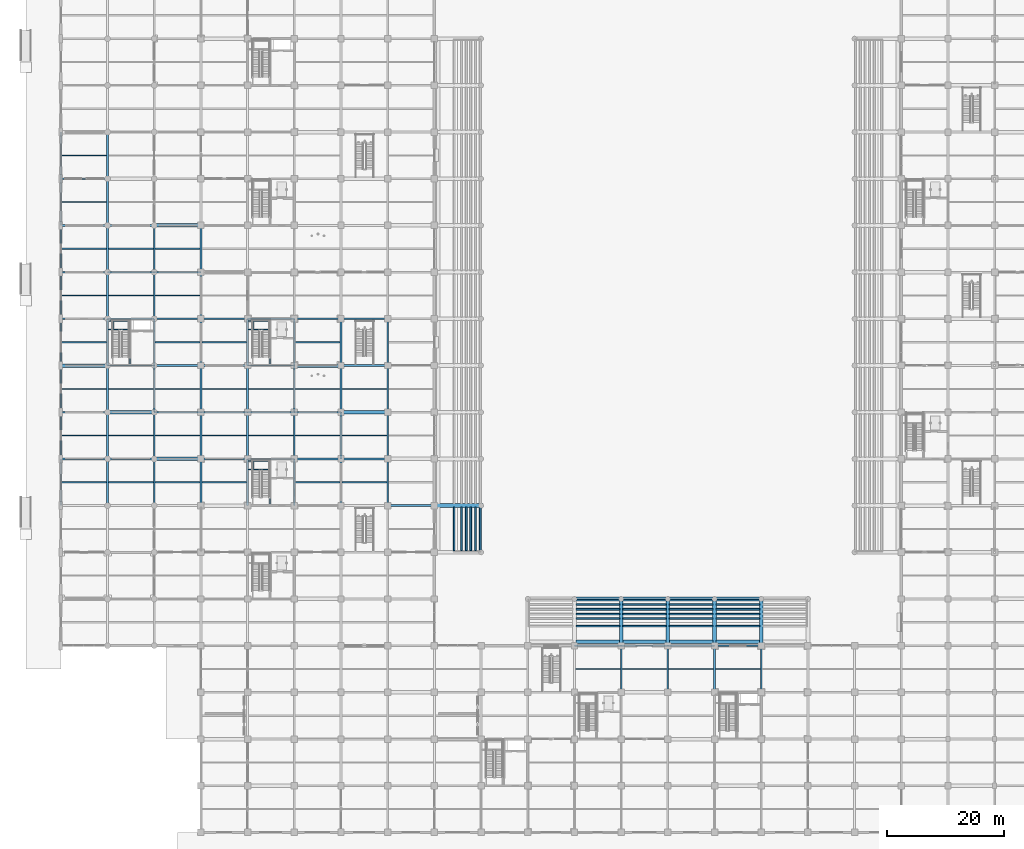
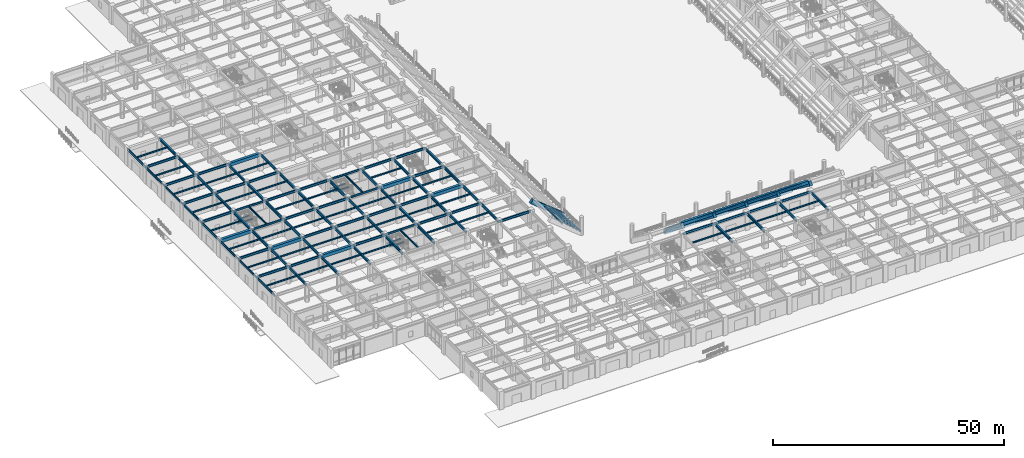
# One storey, part 26 of 125: 179 beams.
"""IFC4 building model written with IfcOpenShell, lengths in metres."""

from ifc_helpers import new_model, si_unit, direction, frame, origin, origin_2d, place, context, subcontext, project, spatial, rectangle, i_section, extrude, material, material_profile, profile_set, type_object, element, save


model = new_model("IFC4")

# Units and contexts
model_context = context("Model", 3, precision=1e-05, world=origin(), true_north=direction((0.0, 1.0)))
body_context = subcontext(model_context, "Body", "Model", "MODEL_VIEW")
ifc_project = project(units=[si_unit("LENGTHUNIT", "METRE"), si_unit("AREAUNIT", "SQUARE_METRE"), si_unit("VOLUMEUNIT", "CUBIC_METRE"), si_unit("PLANEANGLEUNIT", "RADIAN"), si_unit("MASSUNIT", "GRAM", prefix="KILO")], contexts=[model_context])

# Site, building, storey
site_placement = place(None, origin())
site = spatial("IfcSite", under=ifc_project, at=site_placement, CompositionType="ELEMENT")
building_placement = place(site_placement, origin())
building = spatial("IfcBuilding", under=site, at=building_placement, Name="Haebicheon Civic Stadium", CompositionType="ELEMENT")
storey_placement = place(building_placement, origin())
storey = spatial("IfcBuildingStorey", under=building, at=storey_placement, Name="L01", CompositionType="ELEMENT", Elevation=0.0)

# Beams
ifc_material_1 = material(Name="Precast concrete C40/50", Category="concrete")
ifc_material_profile_1 = material_profile(ifc_material_1, rectangle(XDim=0.300048828125, YDim=0.39990234375, at=origin_2d()), Name="PC-LN-300x400")
ifc_profile_set_1 = profile_set([ifc_material_profile_1], Name="Precast concrete C40/50")
beam_type_1 = type_object("IfcBeamType", Name="BM-LN-300x400", PredefinedType="LINTEL", material=ifc_profile_set_1)
for number, where, z_axis, x_axis, name in (
    (1, (71.840087890625, 48.280029296875, 0.760009765625), (0.0, 1.0, 0.0), (-1.0, 0.0, 0.0), "TIER-W-L precast step carrier beam 1.1"),
    (2, (71.0400390625, 48.280029296875, 1.470947265625), (0.0, 1.0, 0.0), (-1.0, 0.0, 0.0), "TIER-W-L precast step carrier beam 1.2"),
    (3, (70.239990234375, 48.280029296875, 2.181884765625), (0.0, 1.0, 0.0), (-1.0, 0.0, 0.0), "TIER-W-L precast step carrier beam 1.3"),
    (4, (69.43994140625, 48.280029296875, 2.89306640625), (0.0, 1.0, 0.0), (-1.0, 0.0, 0.0), "TIER-W-L precast step carrier beam 1.4"),
    (5, (68.639892578125, 48.280029296875, 3.60400390625), (0.0, 1.0, 0.0), (-1.0, 0.0, 0.0), "TIER-W-L precast step carrier beam 1.5"),
    (6, (67.360107421875, 48.280029296875, 4.31591796875), (0.0, 1.0, 0.0), (-1.0, 0.0, 0.0), "TIER-W-L precast step carrier beam 1.6"),
    (7, (88.280029296875, 39.840087890625, 0.760009765625), (1.0, 0.0, 0.0), (0.0, 1.0, 0.0), "TIER-S-L precast step carrier beam 2.1"),
    (8, (88.280029296875, 39.0400390625, 1.427001953125), (1.0, 0.0, 0.0), (0.0, 1.0, 0.0), "TIER-S-L precast step carrier beam 2.2"),
    (9, (88.280029296875, 38.239990234375, 2.093017578125), (1.0, 0.0, 0.0), (0.0, 1.0, 0.0), "TIER-S-L precast step carrier beam 2.3"),
    (10, (88.280029296875, 37.43994140625, 2.760009765625), (1.0, 0.0, 0.0), (0.0, 1.0, 0.0), "TIER-S-L precast step carrier beam 2.4"),
    (11, (88.280029296875, 36.639892578125, 3.427001953125), (1.0, 0.0, 0.0), (0.0, 1.0, 0.0), "TIER-S-L precast step carrier beam 2.5"),
    (12, (88.280029296875, 35.360107421875, 4.093017578125), (1.0, 0.0, 0.0), (0.0, 1.0, 0.0), "TIER-S-L precast step carrier beam 2.6"),
    (13, (96.280029296875, 39.840087890625, 0.760009765625), (1.0, 0.0, 0.0), (0.0, 1.0, 0.0), "TIER-S-L precast step carrier beam 3.1"),
    (14, (96.280029296875, 39.0400390625, 1.427001953125), (1.0, 0.0, 0.0), (0.0, 1.0, 0.0), "TIER-S-L precast step carrier beam 3.2"),
    (15, (96.280029296875, 38.239990234375, 2.093017578125), (1.0, 0.0, 0.0), (0.0, 1.0, 0.0), "TIER-S-L precast step carrier beam 3.3"),
    (16, (96.280029296875, 37.43994140625, 2.760009765625), (1.0, 0.0, 0.0), (0.0, 1.0, 0.0), "TIER-S-L precast step carrier beam 3.4"),
    (17, (96.280029296875, 36.639892578125, 3.427001953125), (1.0, 0.0, 0.0), (0.0, 1.0, 0.0), "TIER-S-L precast step carrier beam 3.5"),
    (18, (96.280029296875, 35.360107421875, 4.093017578125), (1.0, 0.0, 0.0), (0.0, 1.0, 0.0), "TIER-S-L precast step carrier beam 3.6"),
    (19, (104.280029296875, 39.840087890625, 0.760009765625), (1.0, 0.0, 0.0), (0.0, 1.0, 0.0), "TIER-S-L precast step carrier beam 4.1"),
    (20, (104.280029296875, 39.0400390625, 1.427001953125), (1.0, 0.0, 0.0), (0.0, 1.0, 0.0), "TIER-S-L precast step carrier beam 4.2"),
    (21, (104.280029296875, 38.239990234375, 2.093017578125), (1.0, 0.0, 0.0), (0.0, 1.0, 0.0), "TIER-S-L precast step carrier beam 4.3"),
    (22, (104.280029296875, 37.43994140625, 2.760009765625), (1.0, 0.0, 0.0), (0.0, 1.0, 0.0), "TIER-S-L precast step carrier beam 4.4"),
    (23, (104.280029296875, 36.639892578125, 3.427001953125), (1.0, 0.0, 0.0), (0.0, 1.0, 0.0), "TIER-S-L precast step carrier beam 4.5"),
    (24, (104.280029296875, 35.360107421875, 4.093017578125), (1.0, 0.0, 0.0), (0.0, 1.0, 0.0), "TIER-S-L precast step carrier beam 4.6"),
    (25, (112.280029296875, 39.840087890625, 0.760009765625), (1.0, 0.0, 0.0), (0.0, 1.0, 0.0), "TIER-S-L precast step carrier beam 5.1"),
    (26, (112.280029296875, 39.0400390625, 1.427001953125), (1.0, 0.0, 0.0), (0.0, 1.0, 0.0), "TIER-S-L precast step carrier beam 5.2"),
    (27, (112.280029296875, 38.239990234375, 2.093017578125), (1.0, 0.0, 0.0), (0.0, 1.0, 0.0), "TIER-S-L precast step carrier beam 5.3"),
    (28, (112.280029296875, 37.43994140625, 2.760009765625), (1.0, 0.0, 0.0), (0.0, 1.0, 0.0), "TIER-S-L precast step carrier beam 5.4"),
    (29, (112.280029296875, 36.639892578125, 3.427001953125), (1.0, 0.0, 0.0), (0.0, 1.0, 0.0), "TIER-S-L precast step carrier beam 5.5"),
    (30, (112.280029296875, 35.360107421875, 4.093017578125), (1.0, 0.0, 0.0), (0.0, 1.0, 0.0), "TIER-S-L precast step carrier beam 5.6"),
):
    element("IfcBeam", number, at=place(storey_placement, frame(where, z_axis=z_axis, x_axis=x_axis)), inside=storey, type_object=beam_type_1, material=ifc_profile_set_1, Name=name, PredefinedType="LINTEL", context=body_context, shape_type="SweptSolid", body=[
        extrude(rectangle(XDim=0.300048828125, YDim=0.39990234375, at=origin_2d()), origin(), (0.0, 0.0, 1.0), 7.43994140625),
    ])
ifc_material_2 = material(Name="Concrete C40/50", Category="concrete")
ifc_material_profile_2 = material_profile(ifc_material_2, rectangle(XDim=0.64990234375, YDim=1.0, at=origin_2d()), Name="RC-BM-650x1000")
ifc_profile_set_2 = profile_set([ifc_material_profile_2], Name="Concrete C40/50")
beam_type_2 = type_object("IfcBeamType", Name="BM-RC-650x1000", PredefinedType="BEAM", material=ifc_profile_set_2)
for number, where, z_axis, x_axis, name in (
    (31, (88.0, 40.0, -0.0400390625), (1.0, 0.0, 0.0), (0.0, 1.0, 0.0), "TIER-S-L nose support girder 2"),
    (32, (96.0, 40.0, -0.0400390625), (1.0, 0.0, 0.0), (0.0, 1.0, 0.0), "TIER-S-L nose support girder 3"),
    (33, (104.0, 40.0, -0.0400390625), (1.0, 0.0, 0.0), (0.0, 1.0, 0.0), "TIER-S-L nose support girder 4"),
    (34, (112.0, 40.0, -0.0400390625), (1.0, 0.0, 0.0), (0.0, 1.0, 0.0), "TIER-S-L nose support girder 5"),
):
    element("IfcBeam", number, at=place(storey_placement, frame(where, z_axis=z_axis, x_axis=x_axis)), inside=storey, type_object=beam_type_2, material=ifc_profile_set_2, Name=name, PredefinedType="BEAM", context=body_context, shape_type="SweptSolid", body=[
        extrude(rectangle(XDim=0.64990234375, YDim=1.0, at=origin_2d()), origin(), (0.0, 0.0, 1.0), 8.0),
    ])
ifc_material_3 = material(Name="Steel SM355 (S355)", Category="steel")
ifc_material_profile_3 = material_profile(ifc_material_3, i_section(OverallWidth=0.199951171875, OverallDepth=0.5, WebThickness=0.010009765625, FlangeThickness=0.01611328125, at=origin_2d()), Name="H-500x200x10x16")
ifc_profile_set_3 = profile_set([ifc_material_profile_3], Name="Steel SM355 (S355)")
beam_type_3 = type_object("IfcBeamType", Name="BM-ST-H500", PredefinedType="BEAM", material=ifc_profile_set_3)
for number, where, z_axis, x_axis, name in (
    (35, (8.0, 80.0, 4.27001953125), (1.0, 0.0, 0.0), (0.0, 1.0, 0.0), "L01 beam L/2-3"),
    (36, (8.0, 88.0, 4.27001953125), (1.0, 0.0, 0.0), (0.0, 1.0, 0.0), "L01 beam M/2-3"),
    (37, (32.0, 64.0, 4.22998046875), (1.0, 0.0, 0.0), (0.0, 1.0, 0.0), "L01 beam J/5-6"),
    (38, (32.0, 80.0, 4.22998046875), (1.0, 0.0, 0.0), (0.0, 1.0, 0.0), "L01 beam L/5-6"),
    (39, (32.0, 88.0, 4.22998046875), (1.0, 0.0, 0.0), (0.0, 1.0, 0.0), "L01 beam M/5-6"),
):
    element("IfcBeam", number, at=place(storey_placement, frame(where, z_axis=z_axis, x_axis=x_axis)), inside=storey, type_object=beam_type_3, material=ifc_profile_set_3, Name=name, PredefinedType="BEAM", context=body_context, shape_type="SweptSolid", body=[
        extrude(i_section(OverallWidth=0.199951171875, OverallDepth=0.5, WebThickness=0.010009765625, FlangeThickness=0.01611328125, at=origin_2d()), origin(), (0.0, 0.0, 1.0), 8.0),
    ])
for number, where, z_axis, x_axis, name in (
    (40, (11.8798828125, 80.10009765625, 4.27001953125), (0.0, 1.0, 0.0), (-1.0, 0.0, 0.0), "L01 KC-15 core dividing wall support beam"),
    (41, (35.8798828125, 56.10009765625, 4.22998046875), (0.0, 1.0, 0.0), (-1.0, 0.0, 0.0), "L01 KC-02 core dividing wall support beam"),
    (42, (35.8798828125, 80.10009765625, 4.22998046875), (0.0, 1.0, 0.0), (-1.0, 0.0, 0.0), "L01 KC-03 core dividing wall support beam"),
):
    element("IfcBeam", number, at=place(storey_placement, frame(where, z_axis=z_axis, x_axis=x_axis)), inside=storey, type_object=beam_type_3, material=ifc_profile_set_3, Name=name, PredefinedType="BEAM", context=body_context, shape_type="SweptSolid", body=[
        extrude(i_section(OverallWidth=0.199951171875, OverallDepth=0.5, WebThickness=0.010009765625, FlangeThickness=0.01611328125, at=origin_2d()), origin(), (0.0, 0.0, 1.0), 7.7998046875),
    ])
ifc_material_4 = material(Name="Steel SM355 (S355)", Category="steel")
ifc_material_profile_4 = material_profile(ifc_material_4, i_section(OverallWidth=0.300048828125, OverallDepth=0.60009765625, WebThickness=0.011962890625, FlangeThickness=0.02001953125, at=origin_2d()), Name="H-600x300x12x20")
ifc_profile_set_4 = profile_set([ifc_material_profile_4], Name="Steel SM355 (S355)")
beam_type_4 = type_object("IfcBeamType", Name="BM-ST-H600A", PredefinedType="BEAM", material=ifc_profile_set_4)
for number, where, z_axis, x_axis, name in (
    (43, (0.0, 64.0, 4.219970703125), (1.0, 0.0, 0.0), (0.0, 1.0, 0.0), "L01 beam J/1-2"),
    (44, (0.0, 72.0, 4.219970703125), (1.0, 0.0, 0.0), (0.0, 1.0, 0.0), "L01 beam K/1-2"),
    (45, (0.0, 88.0, 4.219970703125), (1.0, 0.0, 0.0), (0.0, 1.0, 0.0), "L01 beam M/1-2"),
    (46, (0.0, 96.0, 4.219970703125), (1.0, 0.0, 0.0), (0.0, 1.0, 0.0), "L01 beam N/1-2"),
    (47, (0.0, 104.0, 4.219970703125), (1.0, 0.0, 0.0), (0.0, 1.0, 0.0), "L01 beam P/1-2"),
    (48, (0.0, 112.0, 4.219970703125), (1.0, 0.0, 0.0), (0.0, 1.0, 0.0), "L01 beam Q/1-2"),
    (49, (8.0, 64.0, 4.219970703125), (1.0, 0.0, 0.0), (0.0, 1.0, 0.0), "L01 beam J/2-3"),
    (50, (8.0, 96.0, 4.219970703125), (1.0, 0.0, 0.0), (0.0, 1.0, 0.0), "L01 beam N/2-3"),
    (51, (8.0, 104.0, 4.219970703125), (1.0, 0.0, 0.0), (0.0, 1.0, 0.0), "L01 beam P/2-3"),
    (52, (16.0, 72.0, 4.219970703125), (1.0, 0.0, 0.0), (0.0, 1.0, 0.0), "L01 beam K/3-4"),
    (53, (16.0, 80.0, 4.219970703125), (1.0, 0.0, 0.0), (0.0, 1.0, 0.0), "L01 beam L/3-4"),
    (54, (16.0, 88.0, 4.219970703125), (1.0, 0.0, 0.0), (0.0, 1.0, 0.0), "L01 beam M/3-4"),
    (55, (16.0, 96.0, 4.219970703125), (1.0, 0.0, 0.0), (0.0, 1.0, 0.0), "L01 beam N/3-4"),
    (56, (24.0, 64.0, 4.179931640625), (1.0, 0.0, 0.0), (0.0, 1.0, 0.0), "L01 beam J/4-5"),
    (57, (24.0, 72.0, 4.179931640625), (1.0, 0.0, 0.0), (0.0, 1.0, 0.0), "L01 beam K/4-5"),
    (58, (24.0, 80.0, 4.179931640625), (1.0, 0.0, 0.0), (0.0, 1.0, 0.0), "L01 beam L/4-5"),
    (59, (24.0, 88.0, 4.179931640625), (1.0, 0.0, 0.0), (0.0, 1.0, 0.0), "L01 beam M/4-5"),
    (60, (32.0, 72.0, 4.179931640625), (1.0, 0.0, 0.0), (0.0, 1.0, 0.0), "L01 beam K/5-6"),
    (61, (40.0, 64.0, 4.179931640625), (1.0, 0.0, 0.0), (0.0, 1.0, 0.0), "L01 beam J/6-7"),
    (62, (40.0, 72.0, 4.179931640625), (1.0, 0.0, 0.0), (0.0, 1.0, 0.0), "L01 beam K/6-7"),
    (63, (40.0, 88.0, 4.179931640625), (1.0, 0.0, 0.0), (0.0, 1.0, 0.0), "L01 beam M/6-7"),
    (64, (48.0, 64.0, 4.179931640625), (1.0, 0.0, 0.0), (0.0, 1.0, 0.0), "L01 beam J/7-8"),
    (65, (48.0, 80.0, 4.179931640625), (1.0, 0.0, 0.0), (0.0, 1.0, 0.0), "L01 beam L/7-8"),
    (66, (48.0, 88.0, 4.179931640625), (1.0, 0.0, 0.0), (0.0, 1.0, 0.0), "L01 beam M/7-8"),
    (67, (56.0, 56.0, 4.179931640625), (1.0, 0.0, 0.0), (0.0, 1.0, 0.0), "L01 beam H/8-9"),
):
    element("IfcBeam", number, at=place(storey_placement, frame(where, z_axis=z_axis, x_axis=x_axis)), inside=storey, type_object=beam_type_4, material=ifc_profile_set_4, Name=name, PredefinedType="BEAM", context=body_context, shape_type="SweptSolid", body=[
        extrude(i_section(OverallWidth=0.300048828125, OverallDepth=0.60009765625, WebThickness=0.011962890625, FlangeThickness=0.02001953125, at=origin_2d()), origin(), (0.0, 0.0, 1.0), 8.0),
    ])
ifc_material_5 = material(Name="Steel SM490", Category="steel")
ifc_material_profile_5 = material_profile(ifc_material_5, i_section(OverallWidth=0.300048828125, OverallDepth=0.699951171875, WebThickness=0.012939453125, FlangeThickness=0.02392578125, at=origin_2d()), Name="H-700x300x13x24")
ifc_profile_set_5 = profile_set([ifc_material_profile_5], Name="Steel SM490")
beam_type_5 = type_object("IfcBeamType", Name="BM-ST-H700", PredefinedType="BEAM", material=ifc_profile_set_5)
for number, where, z_axis, x_axis, name in (
    (68, (8.0, 56.0, 4.169921875), (0.0, 1.0, 0.0), (-1.0, 0.0, 0.0), "L01 girder 2/H-J"),
    (69, (8.0, 64.0, 4.169921875), (0.0, 1.0, 0.0), (-1.0, 0.0, 0.0), "L01 girder 2/J-K"),
    (70, (8.0, 72.0, 4.169921875), (0.0, 1.0, 0.0), (-1.0, 0.0, 0.0), "L01 girder 2/K-L"),
    (71, (8.0, 80.0, 4.169921875), (0.0, 1.0, 0.0), (-1.0, 0.0, 0.0), "L01 girder 2/L-M"),
    (72, (8.0, 88.0, 4.169921875), (0.0, 1.0, 0.0), (-1.0, 0.0, 0.0), "L01 girder 2/M-N"),
    (73, (8.0, 96.0, 4.169921875), (0.0, 1.0, 0.0), (-1.0, 0.0, 0.0), "L01 girder 2/N-P"),
    (74, (8.0, 104.0, 4.169921875), (0.0, 1.0, 0.0), (-1.0, 0.0, 0.0), "L01 girder 2/P-Q"),
    (75, (8.0, 112.0, 4.169921875), (0.0, 1.0, 0.0), (-1.0, 0.0, 0.0), "L01 girder 2/Q-R"),
    (76, (16.0, 56.0, 4.169921875), (0.0, 1.0, 0.0), (-1.0, 0.0, 0.0), "L01 girder 3/H-J"),
    (77, (16.0, 64.0, 4.169921875), (0.0, 1.0, 0.0), (-1.0, 0.0, 0.0), "L01 girder 3/J-K"),
    (78, (16.0, 72.0, 4.169921875), (0.0, 1.0, 0.0), (-1.0, 0.0, 0.0), "L01 girder 3/K-L"),
    (79, (16.0, 80.0, 4.169921875), (0.0, 1.0, 0.0), (-1.0, 0.0, 0.0), "L01 girder 3/L-M"),
    (80, (16.0, 88.0, 4.169921875), (0.0, 1.0, 0.0), (-1.0, 0.0, 0.0), "L01 girder 3/M-N"),
    (81, (16.0, 96.0, 4.169921875), (0.0, 1.0, 0.0), (-1.0, 0.0, 0.0), "L01 girder 3/N-P"),
    (82, (24.0, 56.0, 4.1298828125), (0.0, 1.0, 0.0), (-1.0, 0.0, 0.0), "L01 girder 4/H-J"),
    (83, (24.0, 64.0, 4.1298828125), (0.0, 1.0, 0.0), (-1.0, 0.0, 0.0), "L01 girder 4/J-K"),
    (84, (24.0, 72.0, 4.1298828125), (0.0, 1.0, 0.0), (-1.0, 0.0, 0.0), "L01 girder 4/K-L"),
    (85, (24.0, 80.0, 4.1298828125), (0.0, 1.0, 0.0), (-1.0, 0.0, 0.0), "L01 girder 4/L-M"),
    (86, (24.0, 88.0, 4.1298828125), (0.0, 1.0, 0.0), (-1.0, 0.0, 0.0), "L01 girder 4/M-N"),
    (87, (24.0, 96.0, 4.1298828125), (0.0, 1.0, 0.0), (-1.0, 0.0, 0.0), "L01 girder 4/N-P"),
    (88, (32.0, 56.0, 4.1298828125), (0.0, 1.0, 0.0), (-1.0, 0.0, 0.0), "L01 girder 5/H-J"),
    (89, (32.0, 64.0, 4.1298828125), (0.0, 1.0, 0.0), (-1.0, 0.0, 0.0), "L01 girder 5/J-K"),
    (90, (32.0, 72.0, 4.1298828125), (0.0, 1.0, 0.0), (-1.0, 0.0, 0.0), "L01 girder 5/K-L"),
    (91, (32.0, 80.0, 4.1298828125), (0.0, 1.0, 0.0), (-1.0, 0.0, 0.0), "L01 girder 5/L-M"),
    (92, (40.0, 56.0, 4.1298828125), (0.0, 1.0, 0.0), (-1.0, 0.0, 0.0), "L01 girder 6/H-J"),
    (93, (40.0, 64.0, 4.1298828125), (0.0, 1.0, 0.0), (-1.0, 0.0, 0.0), "L01 girder 6/J-K"),
    (94, (40.0, 72.0, 4.1298828125), (0.0, 1.0, 0.0), (-1.0, 0.0, 0.0), "L01 girder 6/K-L"),
    (95, (40.0, 80.0, 4.1298828125), (0.0, 1.0, 0.0), (-1.0, 0.0, 0.0), "L01 girder 6/L-M"),
    (96, (48.0, 56.0, 4.1298828125), (0.0, 1.0, 0.0), (-1.0, 0.0, 0.0), "L01 girder 7/H-J"),
    (97, (48.0, 64.0, 4.1298828125), (0.0, 1.0, 0.0), (-1.0, 0.0, 0.0), "L01 girder 7/J-K"),
    (98, (48.0, 72.0, 4.1298828125), (0.0, 1.0, 0.0), (-1.0, 0.0, 0.0), "L01 girder 7/K-L"),
    (99, (48.0, 80.0, 4.1298828125), (0.0, 1.0, 0.0), (-1.0, 0.0, 0.0), "L01 girder 7/L-M"),
    (100, (56.0, 56.0, 4.1298828125), (0.0, 1.0, 0.0), (-1.0, 0.0, 0.0), "L01 girder 8/H-J"),
    (101, (56.0, 64.0, 4.1298828125), (0.0, 1.0, 0.0), (-1.0, 0.0, 0.0), "L01 girder 8/J-K"),
    (102, (56.0, 72.0, 4.1298828125), (0.0, 1.0, 0.0), (-1.0, 0.0, 0.0), "L01 girder 8/K-L"),
    (103, (56.0, 80.0, 4.1298828125), (0.0, 1.0, 0.0), (-1.0, 0.0, 0.0), "L01 girder 8/L-M"),
    (104, (96.0, 24.0, 4.169921875), (0.0, 1.0, 0.0), (-1.0, 0.0, 0.0), "L01 girder 13/D-E"),
    (105, (104.0, 24.0, 4.169921875), (0.0, 1.0, 0.0), (-1.0, 0.0, 0.0), "L01 girder 14/D-E"),
    (106, (112.0, 24.0, 4.169921875), (0.0, 1.0, 0.0), (-1.0, 0.0, 0.0), "L01 girder 15/D-E"),
    (107, (120.0, 24.0, 4.169921875), (0.0, 1.0, 0.0), (-1.0, 0.0, 0.0), "L01 girder 16/D-E"),
):
    element("IfcBeam", number, at=place(storey_placement, frame(where, z_axis=z_axis, x_axis=x_axis)), inside=storey, type_object=beam_type_5, material=ifc_profile_set_5, Name=name, PredefinedType="BEAM", context=body_context, shape_type="SweptSolid", body=[
        extrude(i_section(OverallWidth=0.300048828125, OverallDepth=0.699951171875, WebThickness=0.012939453125, FlangeThickness=0.02392578125, at=origin_2d()), origin(), (0.0, 0.0, 1.0), 8.0),
    ])
ifc_material_6 = material(Name="Precast concrete C40/50", Category="concrete")
ifc_material_profile_6 = material_profile(ifc_material_6, rectangle(XDim=0.60009765625, YDim=0.85009765625, at=origin_2d()), Name="PC-TB-600x850")
ifc_profile_set_6 = profile_set([ifc_material_profile_6], Name="Precast concrete C40/50")
beam_type_6 = type_object("IfcBeamType", Name="BM-TB-600x850", PredefinedType="T_BEAM", material=ifc_profile_set_6)
for number, where, z_axis, x_axis, name in (
    (108, (0.0, 80.0, 4.094970703125), (1.0, 0.0, 0.0), (0.0, 1.0, 0.0), "L01 beam L/1-2"),
    (109, (8.0, 72.0, 4.094970703125), (1.0, 0.0, 0.0), (0.0, 1.0, 0.0), "L01 beam K/2-3"),
    (110, (16.0, 64.0, 4.094970703125), (1.0, 0.0, 0.0), (0.0, 1.0, 0.0), "L01 beam J/3-4"),
    (111, (16.0, 104.0, 4.094970703125), (1.0, 0.0, 0.0), (0.0, 1.0, 0.0), "L01 beam P/3-4"),
    (112, (40.0, 80.0, 4.054931640625), (1.0, 0.0, 0.0), (0.0, 1.0, 0.0), "L01 beam L/6-7"),
    (113, (48.0, 72.0, 4.054931640625), (1.0, 0.0, 0.0), (0.0, 1.0, 0.0), "L01 beam K/7-8"),
):
    element("IfcBeam", number, at=place(storey_placement, frame(where, z_axis=z_axis, x_axis=x_axis)), inside=storey, type_object=beam_type_6, material=ifc_profile_set_6, Name=name, PredefinedType="T_BEAM", context=body_context, shape_type="SweptSolid", body=[
        extrude(rectangle(XDim=0.60009765625, YDim=0.85009765625, at=origin_2d()), origin(), (0.0, 0.0, 1.0), 8.0),
    ])
for number, where, z_axis, x_axis, name in (
    (114, (88.280029296875, 32.639892578125, 6.534912109375), (1.0, 0.0, 0.0), (0.0, 1.0, 0.0), "TIER-S-L upper tier bench carrier beam 2"),
    (115, (96.280029296875, 32.639892578125, 6.534912109375), (1.0, 0.0, 0.0), (0.0, 1.0, 0.0), "TIER-S-L upper tier bench carrier beam 3"),
    (116, (104.280029296875, 32.639892578125, 6.534912109375), (1.0, 0.0, 0.0), (0.0, 1.0, 0.0), "TIER-S-L upper tier bench carrier beam 4"),
    (117, (112.280029296875, 32.639892578125, 6.534912109375), (1.0, 0.0, 0.0), (0.0, 1.0, 0.0), "TIER-S-L upper tier bench carrier beam 5"),
):
    element("IfcBeam", number, at=place(storey_placement, frame(where, z_axis=z_axis, x_axis=x_axis)), inside=storey, type_object=beam_type_6, material=ifc_profile_set_6, Name=name, PredefinedType="T_BEAM", context=body_context, shape_type="SweptSolid", body=[
        extrude(rectangle(XDim=0.60009765625, YDim=0.85009765625, at=origin_2d()), origin(), (0.0, 0.0, 1.0), 7.43994140625),
    ])
ifc_material_7 = material(Name="Steel SM355 (S355)", Category="steel")
ifc_material_profile_7 = material_profile(ifc_material_7, i_section(OverallWidth=0.125, OverallDepth=0.25, WebThickness=0.006103515625, FlangeThickness=0.009033203125, at=origin_2d()), Name="H-250x125x6x9")
ifc_profile_set_7 = profile_set([ifc_material_profile_7], Name="Steel SM355 (S355)")
beam_type_7 = type_object("IfcBeamType", Name="JST-ST-H250", PredefinedType="JOIST", material=ifc_profile_set_7)
for number, where, z_axis, x_axis, name in (
    (118, (32.080078125, 62.169921875, 2.072021484375), (1.0, 0.0, 0.0), (0.0, 1.0, 0.0), "KC-02 L01 stair half-landing front trimmer beam"),
    (119, (32.080078125, 63.6201171875, 2.072021484375), (1.0, 0.0, 0.0), (0.0, 1.0, 0.0), "KC-02 L01 stair half-landing rear trimmer beam"),
):
    element("IfcBeam", number, at=place(storey_placement, frame(where, z_axis=z_axis, x_axis=x_axis)), inside=storey, type_object=beam_type_7, material=ifc_profile_set_7, Name=name, PredefinedType="JOIST", context=body_context, shape_type="SweptSolid", body=[
        extrude(i_section(OverallWidth=0.125, OverallDepth=0.25, WebThickness=0.006103515625, FlangeThickness=0.009033203125, at=origin_2d()), origin(), (0.0, 0.0, 1.0), 3.719970703125),
    ])
beam_1_placement = place(storey_placement, frame((32.9599609375, 62.169921875, 2.072021484375), z_axis=(0.0, 1.0, 0.0), x_axis=(-1.0, 0.0, 0.0)))
element("IfcBeam", 120, at=beam_1_placement, inside=storey, type_object=beam_type_7, material=ifc_profile_set_7, Name="KC-02 L01 stair half-landing transverse tie beam", PredefinedType="JOIST", context=body_context, shape_type="SweptSolid", body=[
    extrude(i_section(OverallWidth=0.125, OverallDepth=0.25, WebThickness=0.006103515625, FlangeThickness=0.009033203125, at=origin_2d()), origin(), (0.0, 0.0, 1.0), 1.4501953125),
])
for number, where, z_axis, x_axis, name in (
    (121, (32.080078125, 86.169921875, 2.072021484375), (1.0, 0.0, 0.0), (0.0, 1.0, 0.0), "KC-03 L01 stair half-landing front trimmer beam"),
    (122, (32.080078125, 87.6201171875, 2.072021484375), (1.0, 0.0, 0.0), (0.0, 1.0, 0.0), "KC-03 L01 stair half-landing rear trimmer beam"),
):
    element("IfcBeam", number, at=place(storey_placement, frame(where, z_axis=z_axis, x_axis=x_axis)), inside=storey, type_object=beam_type_7, material=ifc_profile_set_7, Name=name, PredefinedType="JOIST", context=body_context, shape_type="SweptSolid", body=[
        extrude(i_section(OverallWidth=0.125, OverallDepth=0.25, WebThickness=0.006103515625, FlangeThickness=0.009033203125, at=origin_2d()), origin(), (0.0, 0.0, 1.0), 3.719970703125),
    ])
beam_2_placement = place(storey_placement, frame((32.9599609375, 86.169921875, 2.072021484375), z_axis=(0.0, 1.0, 0.0), x_axis=(-1.0, 0.0, 0.0)))
element("IfcBeam", 123, at=beam_2_placement, inside=storey, type_object=beam_type_7, material=ifc_profile_set_7, Name="KC-03 L01 stair half-landing transverse tie beam", PredefinedType="JOIST", context=body_context, shape_type="SweptSolid", body=[
    extrude(i_section(OverallWidth=0.125, OverallDepth=0.25, WebThickness=0.006103515625, FlangeThickness=0.009033203125, at=origin_2d()), origin(), (0.0, 0.0, 1.0), 1.4501953125),
])
for number, where, z_axis, x_axis, name in (
    (124, (8.080078125, 86.169921875, 2.072021484375), (1.0, 0.0, 0.0), (0.0, 1.0, 0.0), "KC-15 L01 stair half-landing front trimmer beam"),
    (125, (8.080078125, 87.6201171875, 2.072021484375), (1.0, 0.0, 0.0), (0.0, 1.0, 0.0), "KC-15 L01 stair half-landing rear trimmer beam"),
):
    element("IfcBeam", number, at=place(storey_placement, frame(where, z_axis=z_axis, x_axis=x_axis)), inside=storey, type_object=beam_type_7, material=ifc_profile_set_7, Name=name, PredefinedType="JOIST", context=body_context, shape_type="SweptSolid", body=[
        extrude(i_section(OverallWidth=0.125, OverallDepth=0.25, WebThickness=0.006103515625, FlangeThickness=0.009033203125, at=origin_2d()), origin(), (0.0, 0.0, 1.0), 3.719970703125),
    ])
beam_3_placement = place(storey_placement, frame((8.9599609375, 86.169921875, 2.072021484375), z_axis=(0.0, 1.0, 0.0), x_axis=(-1.0, 0.0, 0.0)))
element("IfcBeam", 126, at=beam_3_placement, inside=storey, type_object=beam_type_7, material=ifc_profile_set_7, Name="KC-15 L01 stair half-landing transverse tie beam", PredefinedType="JOIST", context=body_context, shape_type="SweptSolid", body=[
    extrude(i_section(OverallWidth=0.125, OverallDepth=0.25, WebThickness=0.006103515625, FlangeThickness=0.009033203125, at=origin_2d()), origin(), (0.0, 0.0, 1.0), 1.4501953125),
])
ifc_material_8 = material(Name="Steel SM355 (S355)", Category="steel")
ifc_material_profile_8 = material_profile(ifc_material_8, i_section(OverallWidth=0.199951171875, OverallDepth=0.39990234375, WebThickness=0.008056640625, FlangeThickness=0.012939453125, at=origin_2d()), Name="H-400x200x8x13")
ifc_profile_set_8 = profile_set([ifc_material_profile_8], Name="Steel SM355 (S355)")
beam_type_8 = type_object("IfcBeamType", Name="JST-ST-H400", PredefinedType="JOIST", material=ifc_profile_set_8)
for number, where, z_axis, x_axis, name in (
    (127, (0.10009765625, 60.0, 4.320068359375), (1.0, 0.0, 0.0), (0.0, 1.0, 0.0), "L01 secondary joist 00-07"),
    (128, (0.10009765625, 68.0, 4.320068359375), (1.0, 0.0, 0.0), (0.0, 1.0, 0.0), "L01 secondary joist 00-08"),
    (129, (0.10009765625, 76.0, 4.320068359375), (1.0, 0.0, 0.0), (0.0, 1.0, 0.0), "L01 secondary joist 00-09"),
    (130, (0.10009765625, 84.0, 4.320068359375), (1.0, 0.0, 0.0), (0.0, 1.0, 0.0), "L01 secondary joist 00-10"),
    (131, (0.10009765625, 92.0, 4.320068359375), (1.0, 0.0, 0.0), (0.0, 1.0, 0.0), "L01 secondary joist 00-11"),
    (132, (0.10009765625, 100.0, 4.320068359375), (1.0, 0.0, 0.0), (0.0, 1.0, 0.0), "L01 secondary joist 00-12"),
    (133, (0.10009765625, 108.0, 4.320068359375), (1.0, 0.0, 0.0), (0.0, 1.0, 0.0), "L01 secondary joist 00-13"),
    (134, (0.10009765625, 116.0, 4.320068359375), (1.0, 0.0, 0.0), (0.0, 1.0, 0.0), "L01 secondary joist 00-14"),
):
    element("IfcBeam", number, at=place(storey_placement, frame(where, z_axis=z_axis, x_axis=x_axis)), inside=storey, type_object=beam_type_8, material=ifc_profile_set_8, Name=name, PredefinedType="JOIST", context=body_context, shape_type="SweptSolid", body=[
        extrude(i_section(OverallWidth=0.199951171875, OverallDepth=0.39990234375, WebThickness=0.008056640625, FlangeThickness=0.012939453125, at=origin_2d()), origin(), (0.0, 0.0, 1.0), 7.75),
    ])
for number, where, z_axis, x_axis, name in (
    (135, (8.14990234375, 60.0, 4.320068359375), (1.0, 0.0, 0.0), (0.0, 1.0, 0.0), "L01 secondary joist 01-07"),
    (136, (8.14990234375, 68.0, 4.320068359375), (1.0, 0.0, 0.0), (0.0, 1.0, 0.0), "L01 secondary joist 01-08"),
    (137, (8.14990234375, 76.0, 4.320068359375), (1.0, 0.0, 0.0), (0.0, 1.0, 0.0), "L01 secondary joist 01-09"),
    (138, (8.14990234375, 92.0, 4.320068359375), (1.0, 0.0, 0.0), (0.0, 1.0, 0.0), "L01 secondary joist 01-11"),
    (139, (8.14990234375, 100.0, 4.320068359375), (1.0, 0.0, 0.0), (0.0, 1.0, 0.0), "L01 secondary joist 01-12"),
    (140, (16.14990234375, 60.0, 4.320068359375), (1.0, 0.0, 0.0), (0.0, 1.0, 0.0), "L01 secondary joist 02-07"),
    (141, (16.14990234375, 68.0, 4.320068359375), (1.0, 0.0, 0.0), (0.0, 1.0, 0.0), "L01 secondary joist 02-08"),
    (142, (16.14990234375, 76.0, 4.320068359375), (1.0, 0.0, 0.0), (0.0, 1.0, 0.0), "L01 secondary joist 02-09"),
    (143, (16.14990234375, 84.0, 4.320068359375), (1.0, 0.0, 0.0), (0.0, 1.0, 0.0), "L01 secondary joist 02-10"),
    (144, (16.14990234375, 92.0, 4.320068359375), (1.0, 0.0, 0.0), (0.0, 1.0, 0.0), "L01 secondary joist 02-11"),
    (145, (16.14990234375, 100.0, 4.320068359375), (1.0, 0.0, 0.0), (0.0, 1.0, 0.0), "L01 secondary joist 02-12"),
    (146, (24.14990234375, 60.0, 4.280029296875), (1.0, 0.0, 0.0), (0.0, 1.0, 0.0), "L01 secondary joist 03-07"),
    (147, (24.14990234375, 68.0, 4.280029296875), (1.0, 0.0, 0.0), (0.0, 1.0, 0.0), "L01 secondary joist 03-08"),
    (148, (24.14990234375, 76.0, 4.280029296875), (1.0, 0.0, 0.0), (0.0, 1.0, 0.0), "L01 secondary joist 03-09"),
    (149, (24.14990234375, 84.0, 4.280029296875), (1.0, 0.0, 0.0), (0.0, 1.0, 0.0), "L01 secondary joist 03-10"),
    (150, (32.14990234375, 68.0, 4.280029296875), (1.0, 0.0, 0.0), (0.0, 1.0, 0.0), "L01 secondary joist 04-08"),
    (151, (32.14990234375, 76.0, 4.280029296875), (1.0, 0.0, 0.0), (0.0, 1.0, 0.0), "L01 secondary joist 04-09"),
    (152, (40.14990234375, 60.0, 4.280029296875), (1.0, 0.0, 0.0), (0.0, 1.0, 0.0), "L01 secondary joist 05-07"),
    (153, (40.14990234375, 68.0, 4.280029296875), (1.0, 0.0, 0.0), (0.0, 1.0, 0.0), "L01 secondary joist 05-08"),
    (154, (40.14990234375, 76.0, 4.280029296875), (1.0, 0.0, 0.0), (0.0, 1.0, 0.0), "L01 secondary joist 05-09"),
    (155, (40.14990234375, 84.0, 4.280029296875), (1.0, 0.0, 0.0), (0.0, 1.0, 0.0), "L01 secondary joist 05-10"),
    (156, (48.14990234375, 60.0, 4.280029296875), (1.0, 0.0, 0.0), (0.0, 1.0, 0.0), "L01 secondary joist 06-07"),
    (157, (48.14990234375, 68.0, 4.280029296875), (1.0, 0.0, 0.0), (0.0, 1.0, 0.0), "L01 secondary joist 06-08"),
    (158, (48.14990234375, 76.0, 4.280029296875), (1.0, 0.0, 0.0), (0.0, 1.0, 0.0), "L01 secondary joist 06-09"),
    (159, (88.14990234375, 28.0, 4.320068359375), (1.0, 0.0, 0.0), (0.0, 1.0, 0.0), "L01 secondary joist 11-03"),
    (160, (96.14990234375, 28.0, 4.320068359375), (1.0, 0.0, 0.0), (0.0, 1.0, 0.0), "L01 secondary joist 12-03"),
    (161, (104.14990234375, 28.0, 4.320068359375), (1.0, 0.0, 0.0), (0.0, 1.0, 0.0), "L01 secondary joist 13-03"),
    (162, (112.14990234375, 28.0, 4.320068359375), (1.0, 0.0, 0.0), (0.0, 1.0, 0.0), "L01 secondary joist 14-03"),
):
    element("IfcBeam", number, at=place(storey_placement, frame(where, z_axis=z_axis, x_axis=x_axis)), inside=storey, type_object=beam_type_8, material=ifc_profile_set_8, Name=name, PredefinedType="JOIST", context=body_context, shape_type="SweptSolid", body=[
        extrude(i_section(OverallWidth=0.199951171875, OverallDepth=0.39990234375, WebThickness=0.008056640625, FlangeThickness=0.012939453125, at=origin_2d()), origin(), (0.0, 0.0, 1.0), 7.7001953125),
    ])
ifc_material_9 = material(Name="Precast concrete C40/50", Category="concrete")
ifc_material_profile_9 = material_profile(ifc_material_9, rectangle(XDim=0.64990234375, YDim=1.10009765625, at=origin_2d()), Name="PC-RK-650x1100")
ifc_profile_set_9 = profile_set([ifc_material_profile_9], Name="Precast concrete C40/50")
beam_type_9 = type_object("IfcBeamType", Name="RK-PC-650x1100", PredefinedType="USERDEFINED", material=ifc_profile_set_9)
beam_4_placement = place(storey_placement, frame((72.0, 56.0, 0.409912109375), z_axis=(-0.780861834757, 0.0, 0.624703765813), x_axis=(0.0, -1.0, 0.0)))
element("IfcBeam", 163, at=beam_4_placement, inside=storey, type_object=beam_type_9, material=ifc_profile_set_9, Name="TIER-W-L inclined precast raker beam 2", ObjectType="RAKER BEAM", PredefinedType="USERDEFINED", context=body_context, shape_type="SweptSolid", body=[
    extrude(rectangle(XDim=0.64990234375, YDim=1.10009765625, at=origin_2d()), origin(), (0.0, 0.0, 1.0), 10.2451171875),
])
for number, where, z_axis, x_axis, name in (
    (164, (96.0, 40.0, 0.409912109375), (0.0, -0.8, 0.6), (1.0, 0.0, 0.0), "TIER-S-L inclined precast raker beam 3"),
    (165, (104.0, 40.0, 0.409912109375), (0.0, -0.8, 0.6), (1.0, 0.0, 0.0), "TIER-S-L inclined precast raker beam 4"),
    (166, (112.0, 40.0, 0.409912109375), (0.0, -0.8, 0.6), (1.0, 0.0, 0.0), "TIER-S-L inclined precast raker beam 5"),
    (167, (120.0, 40.0, 0.409912109375), (0.0, -0.8, 0.6), (1.0, 0.0, 0.0), "TIER-S-L inclined precast raker beam 6"),
):
    element("IfcBeam", number, at=place(storey_placement, frame(where, z_axis=z_axis, x_axis=x_axis)), inside=storey, type_object=beam_type_9, material=ifc_profile_set_9, Name=name, ObjectType="RAKER BEAM", PredefinedType="USERDEFINED", context=body_context, shape_type="SweptSolid", body=[
        extrude(rectangle(XDim=0.64990234375, YDim=1.10009765625, at=origin_2d()), origin(), (0.0, 0.0, 1.0), 10.0),
    ])
ifc_material_10 = material(Name="Steel SM355 (S355)", Category="steel")
ifc_material_profile_10 = material_profile(ifc_material_10, i_section(OverallWidth=0.199951171875, OverallDepth=0.60009765625, WebThickness=0.010986328125, FlangeThickness=0.01708984375, at=origin_2d()), Name="H-600x200x11x17")
ifc_profile_set_10 = profile_set([ifc_material_profile_10], Name="Steel SM355 (S355)")
beam_type_10 = type_object("IfcBeamType", Name="SPD-ST-H600B", PredefinedType="SPANDREL", material=ifc_profile_set_10)
for number, where, z_axis, x_axis, name in (
    (168, (0.0, 56.0, 4.219970703125), (0.0, 1.0, 0.0), (-1.0, 0.0, 0.0), "L01 girder 1/H-J"),
    (169, (0.0, 64.0, 4.219970703125), (0.0, 1.0, 0.0), (-1.0, 0.0, 0.0), "L01 girder 1/J-K"),
    (170, (0.0, 72.0, 4.219970703125), (0.0, 1.0, 0.0), (-1.0, 0.0, 0.0), "L01 girder 1/K-L"),
    (171, (0.0, 80.0, 4.219970703125), (0.0, 1.0, 0.0), (-1.0, 0.0, 0.0), "L01 girder 1/L-M"),
    (172, (0.0, 88.0, 4.219970703125), (0.0, 1.0, 0.0), (-1.0, 0.0, 0.0), "L01 girder 1/M-N"),
    (173, (0.0, 96.0, 4.219970703125), (0.0, 1.0, 0.0), (-1.0, 0.0, 0.0), "L01 girder 1/N-P"),
    (174, (0.0, 104.0, 4.219970703125), (0.0, 1.0, 0.0), (-1.0, 0.0, 0.0), "L01 girder 1/P-Q"),
    (175, (0.0, 112.0, 4.219970703125), (0.0, 1.0, 0.0), (-1.0, 0.0, 0.0), "L01 girder 1/Q-R"),
    (176, (88.0, 32.0, 4.219970703125), (1.0, 0.0, 0.0), (0.0, 1.0, 0.0), "L01 beam E/12-13"),
    (177, (96.0, 32.0, 4.219970703125), (1.0, 0.0, 0.0), (0.0, 1.0, 0.0), "L01 beam E/13-14"),
    (178, (104.0, 32.0, 4.219970703125), (1.0, 0.0, 0.0), (0.0, 1.0, 0.0), "L01 beam E/14-15"),
    (179, (112.0, 32.0, 4.219970703125), (1.0, 0.0, 0.0), (0.0, 1.0, 0.0), "L01 beam E/15-16"),
):
    element("IfcBeam", number, at=place(storey_placement, frame(where, z_axis=z_axis, x_axis=x_axis)), inside=storey, type_object=beam_type_10, material=ifc_profile_set_10, Name=name, PredefinedType="SPANDREL", context=body_context, shape_type="SweptSolid", body=[
        extrude(i_section(OverallWidth=0.199951171875, OverallDepth=0.60009765625, WebThickness=0.010986328125, FlangeThickness=0.01708984375, at=origin_2d()), origin(), (0.0, 0.0, 1.0), 8.0),
    ])

save(model, "model.ifc")
